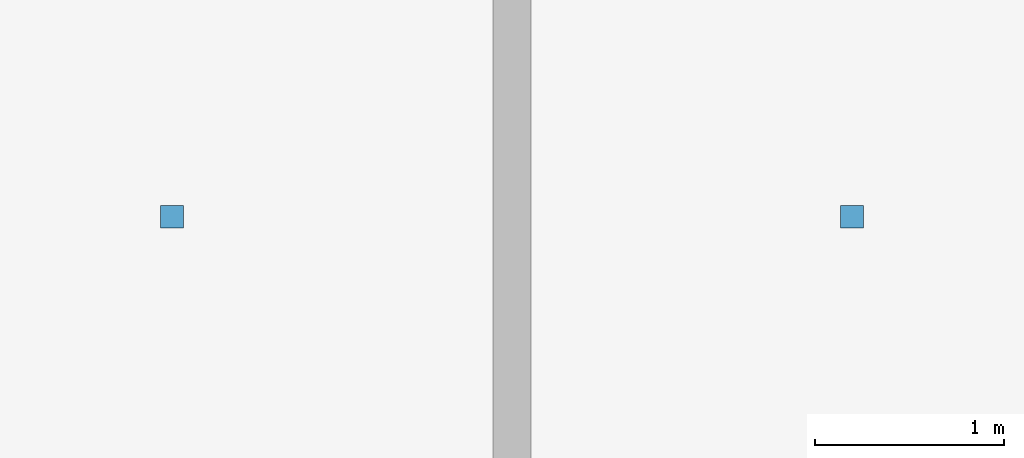
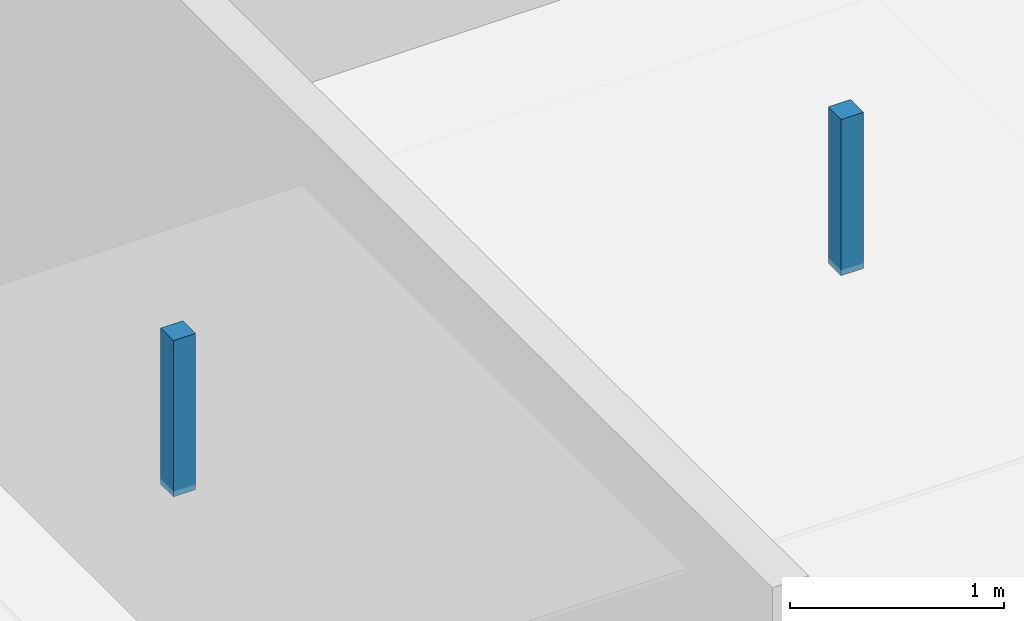
# One storey, part 98 of 116: 2 discrete accessories.
"""IFC4 building model written with IfcOpenShell, lengths in metres."""

from ifc_helpers import new_model, si_unit, direction, frame, origin, origin_2d, place, context, subcontext, project, spatial, rectangle, extrude, material, type_object, element, save


model = new_model("IFC4")

# Units and contexts
model_context = context("Model", 3, precision=1e-05, world=origin(), true_north=direction((0.0, 1.0)))
body_context = subcontext(model_context, "Body", "Model", "MODEL_VIEW")
ifc_project = project(units=[si_unit("LENGTHUNIT", "METRE"), si_unit("AREAUNIT", "SQUARE_METRE"), si_unit("VOLUMEUNIT", "CUBIC_METRE"), si_unit("PLANEANGLEUNIT", "RADIAN"), si_unit("MASSUNIT", "GRAM", prefix="KILO")], contexts=[model_context])

# Site, building, storey
site_placement = place(None, origin())
site = spatial("IfcSite", under=ifc_project, at=site_placement, CompositionType="ELEMENT")
building_placement = place(site_placement, origin())
building = spatial("IfcBuilding", under=site, at=building_placement, Name="Cendralis Lancet Convention Centre", CompositionType="ELEMENT")
storey_placement = place(building_placement, frame((0.0, 0.0, 15.0)))
storey = spatial("IfcBuildingStorey", under=building, at=storey_placement, Name="L03", CompositionType="ELEMENT", Elevation=15.0)

# Discrete accessories
ifc_material = material(Name="Steel S355", Category="steel")
discrete_accessory_type = type_object("IfcDiscreteAccessoryType", Name="ARC-BRK-CLG", PredefinedType="BRACKET", material=ifc_material)
for number, where, z_axis, x_axis, name in (
    (1, (48.60009765625, 10.800048828125, 3.3798828125), (0.0, 0.0, 1.0), (1.0, 0.0, 0.0), "L03 Ceiling Suspension Bracket #12-1"),
    (2, (52.199951171875, 10.800048828125, 3.3798828125), (0.0, 0.0, 1.0), (1.0, 0.0, 0.0), "L03 Ceiling Suspension Bracket #12-2"),
):
    element("IfcDiscreteAccessory", number, at=place(storey_placement, frame(where, z_axis=z_axis, x_axis=x_axis)), inside=storey, type_object=discrete_accessory_type, Name=name, PredefinedType="BRACKET", context=body_context, shape_type="SweptSolid", body=[
        extrude(rectangle(XDim=0.1201171875, YDim=0.1201171875, at=origin_2d()), origin(), (0.0, 0.0, 1.0), 0.889892578125),
    ])

save(model, "model.ifc")
